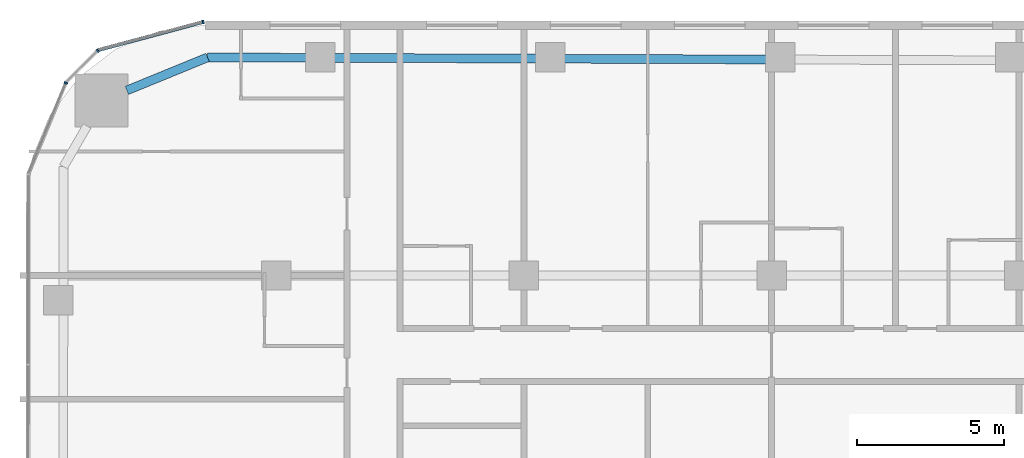
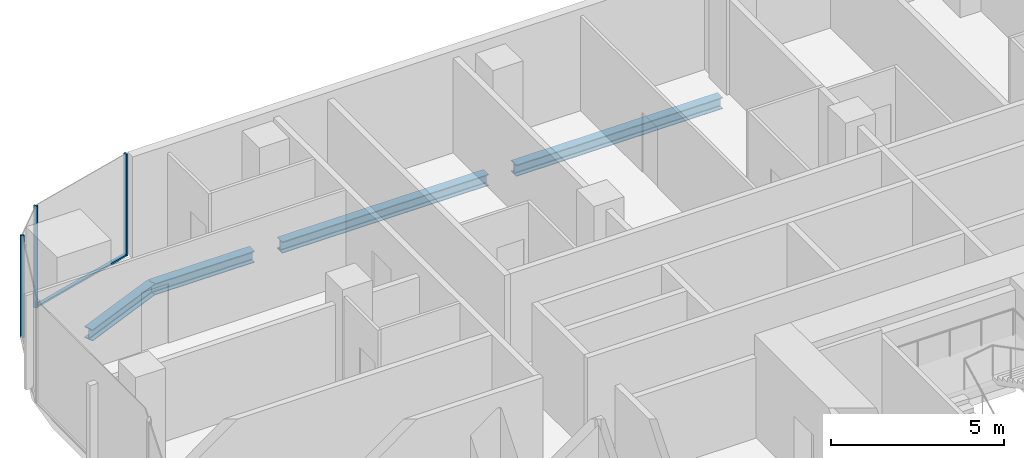
# One storey, part 10 of 26: 4 beams, 4 members, 3 elements without a shape of their own.
"""IFC4 building model written with IfcOpenShell, lengths in metres."""

from ifc_helpers import new_model, si_unit, direction, frame, origin, origin_2d, place, context, subcontext, project, spatial, rectangle, i_section, extrude, material, layer, layer_set, material_profile, profile_set, type_object, element, aggregate, save


model = new_model("IFC4")

# Units and contexts
model_context = context("Model", 3, precision=1e-05, world=origin(), true_north=direction((0.0, 1.0)))
body_context = subcontext(model_context, "Body", "Model", "MODEL_VIEW")
ifc_project = project(units=[si_unit("LENGTHUNIT", "METRE"), si_unit("AREAUNIT", "SQUARE_METRE"), si_unit("VOLUMEUNIT", "CUBIC_METRE"), si_unit("PLANEANGLEUNIT", "RADIAN"), si_unit("MASSUNIT", "GRAM", prefix="KILO")], contexts=[model_context])

# Site, building, storey
site_placement = place(None, origin())
site = spatial("IfcSite", under=ifc_project, at=site_placement, CompositionType="ELEMENT")
building_placement = place(site_placement, origin())
building = spatial("IfcBuilding", under=site, at=building_placement, Name="Marenta Gate Hotel Tower", CompositionType="ELEMENT")
storey_placement = place(building_placement, frame((0.0, 0.0, 72.5)))
storey = spatial("IfcBuildingStorey", under=building, at=storey_placement, Name="L16", CompositionType="ELEMENT", Elevation=72.5)

# Beams
ifc_material_1 = material(Name="Steel S355", Category="steel")
ifc_material_profile_1 = material_profile(ifc_material_1, i_section(OverallWidth=0.300048828125, OverallDepth=0.39990234375, WebThickness=0.013427734375, FlangeThickness=0.02392578125, FilletRadius=0.027099609375, at=origin_2d()), Name="HEB 400")
ifc_profile_set_1 = profile_set([ifc_material_profile_1], Name="Steel S355")
beam_type = type_object("IfcBeamType", Name="Edge beam HEB 400", PredefinedType="SPANDREL", material=ifc_profile_set_1)
beam_1_placement = place(storey_placement, frame((-26.072509765625, 31.47998046875, -0.4599609375), z_axis=(0.925545641603, 0.378636059177, 0.0), x_axis=(-0.378636059177, 0.925545641603, 0.0)))
element("IfcBeam", 1, at=beam_1_placement, inside=storey, type_object=beam_type, Name="L16-EB-12", PredefinedType="SPANDREL", context=body_context, shape_type="SweptSolid", body=[
    extrude(i_section(OverallWidth=0.300048828125, OverallDepth=0.39990234375, WebThickness=0.013427734375, FlangeThickness=0.02392578125, FilletRadius=0.027099609375, at=origin_2d()), origin(), (0.0, 0.0, 1.0), 2.958251953125),
])
beam_2_placement = place(storey_placement, frame((-23.33447265625, 32.60009765625, -0.4599609375), z_axis=(0.999992894549, -0.00376972818, 0.0), x_axis=(0.00376972818, 0.999992894549, 0.0)))
element("IfcBeam", 2, at=beam_2_placement, inside=storey, type_object=beam_type, Name="L16-EB-13", PredefinedType="SPANDREL", context=body_context, shape_type="SweptSolid", body=[
    extrude(i_section(OverallWidth=0.300048828125, OverallDepth=0.39990234375, WebThickness=0.013427734375, FlangeThickness=0.02392578125, FilletRadius=0.027099609375, at=origin_2d()), origin(), (0.0, 0.0, 1.0), 3.36767578125),
])
for number, where, z_axis, x_axis, name in (
    (3, (-19.046875, 32.583984375, -0.4599609375), (0.999993064268, -0.003724435008, 0.0), (0.003724435008, 0.999993064268, 0.0), "L16-EB-14"),
    (4, (-11.244140625, 32.554931640625, -0.4599609375), (0.999993064268, -0.003724435008, 0.0), (0.003724435008, 0.999993064268, 0.0), "L16-EB-15"),
):
    element("IfcBeam", number, at=place(storey_placement, frame(where, z_axis=z_axis, x_axis=x_axis)), inside=storey, type_object=beam_type, Name=name, PredefinedType="SPANDREL", context=body_context, shape_type="SweptSolid", body=[
        extrude(i_section(OverallWidth=0.300048828125, OverallDepth=0.39990234375, WebThickness=0.013427734375, FlangeThickness=0.02392578125, FilletRadius=0.027099609375, at=origin_2d()), origin(), (0.0, 0.0, 1.0), 6.8828125),
    ])

# Curtain wall, member
ifc_material_2 = material(Name="Tinted insulated glass in bronze anodised frame", Category="glass")
ifc_layer = layer(ifc_material_2, 0.1201171875)
ifc_layer_set = layer_set([ifc_layer], Name="Tinted insulated glass in bronze anodised frame")
curtain_wall_type = type_object("IfcCurtainWallType", Name="Tower unitised curtain wall CW1", PredefinedType="NOTDEFINED", material=ifc_layer_set)
curtain_wall_1_placement = place(storey_placement, origin())
curtain_wall_1 = element("IfcCurtainWall", 5, at=curtain_wall_1_placement, inside=storey, type_object=curtain_wall_type, Name="CW1 run G00", PredefinedType="NOTDEFINED")
ifc_material_3 = material(Name="Bronze anodised aluminium", Category="aluminium")
ifc_material_profile_2 = material_profile(ifc_material_3, rectangle(XDim=0.1201171875, YDim=0.06005859375, at=origin_2d()), Name="Mullion CW1 60x120 bronze anodised aluminium")
ifc_profile_set_2 = profile_set([ifc_material_profile_2], Name="Bronze anodised aluminium")
member_type_1 = type_object("IfcMemberType", Name="Mullion CW1 60x120 bronze anodised aluminium", PredefinedType="MULLION", material=ifc_profile_set_2)
member_1_placement = place(storey_placement, frame((-23.485595703125, 33.80322265625, 0.0), z_axis=(0.0, 0.0, 1.0), x_axis=(0.258801657317, -0.965930485164, 0.0)))
member_1 = element("IfcMember", 6, at=member_1_placement, type_object=member_type_1, Name="CW1 mullion 1", PredefinedType="MULLION", context=body_context, shape_type="SweptSolid", body=[
    extrude(rectangle(XDim=0.1201171875, YDim=0.06005859375, at=origin_2d()), origin(), (0.0, 0.0, 1.0), 3.60009765625),
])

curtain_wall_2_placement = place(storey_placement, origin())
curtain_wall_2 = element("IfcCurtainWall", 7, at=curtain_wall_2_placement, inside=storey, type_object=curtain_wall_type, Name="CW1 run G01", PredefinedType="NOTDEFINED")
member_2_placement = place(storey_placement, frame((-27.06103515625, 32.82958984375, 0.0), z_axis=(0.0, 0.0, 1.0), x_axis=(0.707106781187, -0.707106781187, 0.0)))
member_2 = element("IfcMember", 8, at=member_2_placement, type_object=member_type_1, Name="CW1 mullion 1", PredefinedType="MULLION", context=body_context, shape_type="SweptSolid", body=[
    extrude(rectangle(XDim=0.1201171875, YDim=0.06005859375, at=origin_2d()), origin(), (0.0, 0.0, 1.0), 3.60009765625),
])
aggregate(curtain_wall_2, [member_2])

curtain_wall_3_placement = place(storey_placement, origin())
curtain_wall_3 = element("IfcCurtainWall", 9, at=curtain_wall_3_placement, inside=storey, type_object=curtain_wall_type, Name="CW1 run G02", PredefinedType="NOTDEFINED")
member_3_placement = place(storey_placement, frame((-28.142333984375, 31.732177734375, 0.0), z_axis=(0.0, 0.0, 1.0), x_axis=(0.923885075314, -0.382670050581, 0.0)))
member_3 = element("IfcMember", 10, at=member_3_placement, type_object=member_type_1, Name="CW1 mullion 1", PredefinedType="MULLION", context=body_context, shape_type="SweptSolid", body=[
    extrude(rectangle(XDim=0.1201171875, YDim=0.06005859375, at=origin_2d()), origin(), (0.0, 0.0, 1.0), 3.60009765625),
])
aggregate(curtain_wall_3, [member_3])

# Member
ifc_material_4 = material(Name="Bronze anodised aluminium", Category="aluminium")
ifc_material_profile_3 = material_profile(ifc_material_4, rectangle(XDim=0.1201171875, YDim=0.06005859375, at=origin_2d()), Name="Transom CW1 60x120 bronze anodised aluminium")
ifc_profile_set_3 = profile_set([ifc_material_profile_3], Name="Bronze anodised aluminium")
member_type_2 = type_object("IfcMemberType", Name="Transom CW1 60x120 bronze anodised aluminium", PredefinedType="USERDEFINED", material=ifc_profile_set_3)
member_4_placement = place(storey_placement, frame((-23.514404296875, 33.79541015625, 0.030029296875), z_axis=(-0.965928942389, -0.258807415381, 0.0), x_axis=(0.258807415381, -0.965928942389, 0.0)))
member_4 = element("IfcMember", 11, at=member_4_placement, type_object=member_type_2, Name="CW1 transom 1.1", ObjectType="TRANSOM", PredefinedType="USERDEFINED", context=body_context, shape_type="SweptSolid", body=[
    extrude(rectangle(XDim=0.1201171875, YDim=0.06005859375, at=origin_2d()), origin(), (0.0, 0.0, 1.0), 3.649658203125),
])

aggregate(curtain_wall_1, [member_1, member_4])

save(model, "model.ifc")
